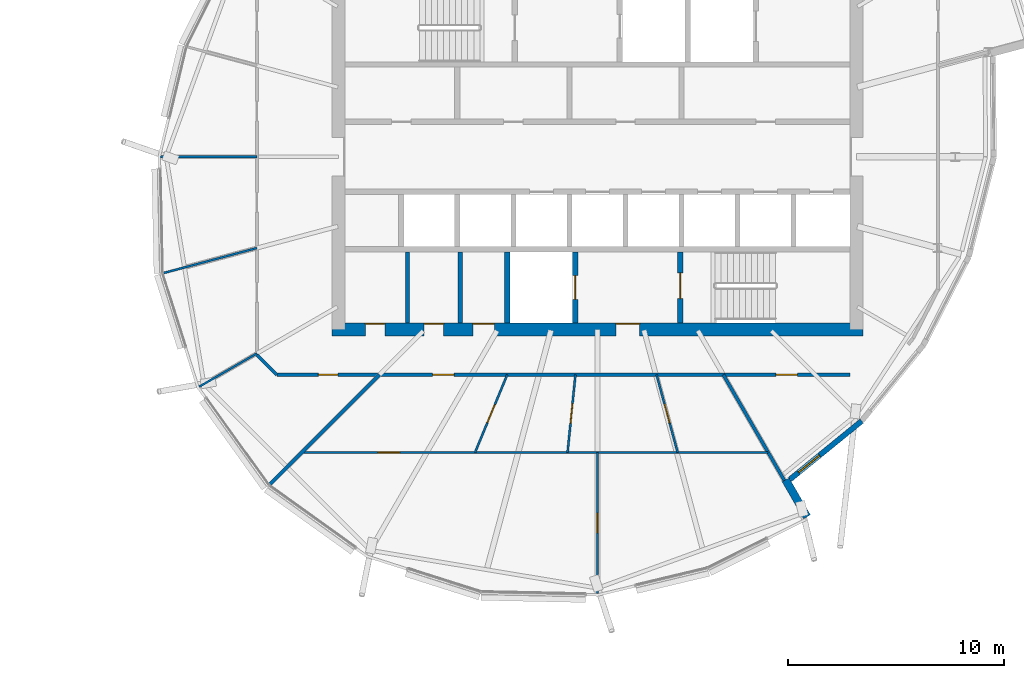
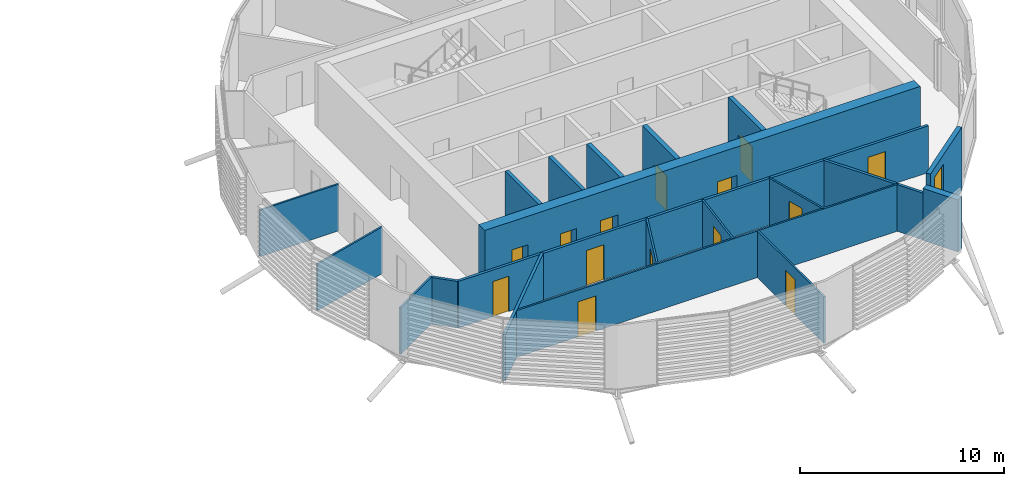
# One storey, part 21 of 35: 21 walls, 14 doors, 1 window, 15 openings.
"""IFC4 building model written with IfcOpenShell, lengths in metres."""

from ifc_helpers import new_model, si_unit, direction, frame, frame_2d, origin, place, context, subcontext, project, spatial, rectangle, extrude, material, layer, layer_set, type_object, element, fill, save


model = new_model("IFC4")

# Units and contexts
model_context = context("Model", 3, precision=1e-05, world=origin(), true_north=direction((0.0, 1.0)))
body_context = subcontext(model_context, "Body", "Model", "MODEL_VIEW")
ifc_project = project(units=[si_unit("LENGTHUNIT", "METRE"), si_unit("AREAUNIT", "SQUARE_METRE"), si_unit("VOLUMEUNIT", "CUBIC_METRE"), si_unit("PLANEANGLEUNIT", "RADIAN"), si_unit("MASSUNIT", "GRAM", prefix="KILO")], contexts=[model_context])

# Site, building, storey
site_placement = place(None, origin())
site = spatial("IfcSite", under=ifc_project, at=site_placement, CompositionType="ELEMENT")
building_placement = place(site_placement, origin())
building = spatial("IfcBuilding", under=site, at=building_placement, Name="Rimbun Link Towers", CompositionType="ELEMENT")
storey_placement = place(building_placement, frame((0.0, 0.0, 196.89990234375)))
storey = spatial("IfcBuildingStorey", under=building, at=storey_placement, Name="L48", CompositionType="ELEMENT", Elevation=196.89990234375)

# Wall, opening, window
ifc_material_1 = material(Name="Dark enamelled glass spandrel on insulated aluminium backpan", Category="aluminium")
ifc_layer_1 = layer(ifc_material_1, 0.25)
ifc_layer_set_1 = layer_set([ifc_layer_1], Name="CS dark enamelled spandrel wall 250")
wall_type_1 = type_object("IfcWallType", Name="CS dark enamelled spandrel wall 250", PredefinedType="STANDARD", material=ifc_layer_set_1)
wall_1_placement = place(storey_placement, frame((43.988037109375, -12.238037109375, 0.0), z_axis=(0.0, 0.0, 1.0), x_axis=(-0.775356930416, -0.631523262007, 0.0)))
wall_1 = element("IfcWall", 1, at=wall_1_placement, inside=storey, type_object=wall_type_1, Name="Crease spandrel wall", PredefinedType="STANDARD", context=body_context, shape_type="SweptSolid", body=[
    extrude(rectangle(XDim=4.2841796875, YDim=0.25, at=frame_2d((2.14208984375, 0.0))), origin(), (0.0, 0.0, 1.0), 3.800048828125),
])
opening_1_placement = place(wall_1_placement, frame((2.525390625, 0.0, 0.300048828125)))
opening_1 = element("IfcOpeningElement", 2, at=opening_1_placement, cuts=wall_1, Name="Opening WR12H295", PredefinedType="OPENING", context=body_context, shape_type="SweptSolid", body=[
    extrude(rectangle(XDim=1.25, YDim=2.949951171875, at=frame_2d((0.625, 1.47509765625))), frame((0.0, 0.135009765625, 0.0), z_axis=(0.0, -1.0, 0.0), x_axis=(1.0, 0.0, 0.0)), (0.0, 0.0, 1.0), 0.27001953125),
])
ifc_material_2 = material(Name="Aluminium framed fixed window, dark tinted low-e glass", Category="aluminium")
window_type = type_object("IfcWindowType", Name="WR ribbon window 1250X2950", PartitioningType="SINGLE_PANEL", PredefinedType="WINDOW", material=ifc_material_2)
window_placement = place(opening_1_placement, origin())
window = element("IfcWindow", 3, at=window_placement, inside=storey, type_object=window_type, Name="Crease ribbon window", OverallHeight=2.949951171875, OverallWidth=1.25, PartitioningType="SINGLE_PANEL", PredefinedType="WINDOW", context=body_context, shape_type="SweptSolid", body=[
    extrude(rectangle(XDim=1.25, YDim=2.949951171875, at=frame_2d((0.625, 1.47509765625))), frame((0.0, 0.030029296875, 0.0), z_axis=(0.0, -1.0, 0.0), x_axis=(1.0, 0.0, 0.0)), (0.0, 0.0, 1.0), 0.06005859375),
])
fill(opening_1, window)

# Walls
ifc_material_3 = material(Name="Dark enamelled glass spandrel on insulated aluminium backpan", Category="aluminium")
ifc_layer_2 = layer(ifc_material_3, 0.3701171875)
ifc_layer_set_2 = layer_set([ifc_layer_2], Name="CS dark enamelled spandrel wall 370")
wall_type_2 = type_object("IfcWallType", Name="CS dark enamelled spandrel wall 370", PredefinedType="STANDARD", material=ifc_layer_set_2)
wall_2_placement = place(storey_placement, frame((40.462890625, -14.961181640625, 0.0), z_axis=(0.0, 0.0, 1.0), x_axis=(0.499971491109, -0.866041862775, 0.0)))
element("IfcWall", 4, at=wall_2_placement, inside=storey, type_object=wall_type_2, Name="Crease spandrel wall", PredefinedType="STANDARD", context=body_context, shape_type="SweptSolid", body=[
    extrude(rectangle(XDim=1.97998046875, YDim=0.3701171875, at=frame_2d((0.989990234375, 0.0))), origin(), (0.0, 0.0, 1.0), 3.10693359375),
])
ifc_material_4 = material(Name="Masonry blockwork", Category="masonry")
ifc_layer_3 = layer(ifc_material_4, 0.199951171875)
ifc_layer_set_3 = layer_set([ifc_layer_3], Name="Core partition 200")
wall_type_3 = type_object("IfcWallType", Name="Core partition 200", PredefinedType="PARTITIONING", material=ifc_layer_set_3)
for number, where, z_axis, x_axis, name in (
    (5, (22.949951171875, -4.39990234375, 0.0), (0.0, 0.0, 1.0), (0.0, -1.0, 0.0), "L48 T2 core wall C1"),
    (6, (25.39990234375, -4.39990234375, 0.0), (0.0, 0.0, 1.0), (0.0, -1.0, 0.0), "L48 T2 core wall C2"),
):
    element("IfcWall", number, at=place(storey_placement, frame(where, z_axis=z_axis, x_axis=x_axis)), inside=storey, type_object=wall_type_3, Name=name, PredefinedType="PARTITIONING", context=body_context, shape_type="SweptSolid", body=[
        extrude(rectangle(XDim=3.300048828125, YDim=0.199951171875, at=frame_2d((1.64990234375, 0.0))), origin(), (0.0, 0.0, 1.0), 3.800048828125),
    ])

# Wall, openings, doors
ifc_material_5 = material(Name="Concrete C60/75", Category="concrete")
ifc_layer_4 = layer(ifc_material_5, 0.60009765625)
ifc_layer_set_4 = layer_set([ifc_layer_4], Name="Core shear wall 600")
wall_type_4 = type_object("IfcWallType", Name="Core shear wall 600", PredefinedType="SHEAR", material=ifc_layer_set_4)
wall_3_placement = place(storey_placement, frame((19.449951171875, -8.0, 0.0), z_axis=(0.0, 0.0, 1.0), x_axis=(1.0, 0.0, 0.0)))
wall_3 = element("IfcWall", 7, at=wall_3_placement, inside=storey, type_object=wall_type_4, Name="L48 T2 core wall S", PredefinedType="SHEAR", context=body_context, shape_type="SweptSolid", body=[
    extrude(rectangle(XDim=24.60009765625, YDim=0.60009765625, at=frame_2d((12.300048828125, 0.0))), origin(), (0.0, 0.0, 1.0), 3.800048828125),
])
opening_2_placement = place(wall_3_placement, frame((13.14990234375, 0.0, 0.0)))
opening_2 = element("IfcOpeningElement", 8, at=opening_2_placement, cuts=wall_3, Name="Opening C2DCF01S", PredefinedType="OPENING", context=body_context, shape_type="SweptSolid", body=[
    extrude(rectangle(XDim=1.10009765625, YDim=2.10009765625, at=frame_2d((0.550048828125, 1.050048828125))), frame((0.0, 0.31005859375, 0.0), z_axis=(0.0, -1.0, 0.0), x_axis=(1.0, 0.0, 0.0)), (0.0, 0.0, 1.0), 0.6201171875),
])
opening_3_placement = place(wall_3_placement, frame((1.550048828125, 0.0, 0.0)))
opening_3 = element("IfcOpeningElement", 9, at=opening_3_placement, cuts=wall_3, Name="Opening C2DWC02S", PredefinedType="OPENING", context=body_context, shape_type="SweptSolid", body=[
    extrude(rectangle(XDim=0.89990234375, YDim=2.10009765625, at=frame_2d((0.449951171875, 1.050048828125))), frame((0.0, 0.31005859375, 0.0), z_axis=(0.0, -1.0, 0.0), x_axis=(1.0, 0.0, 0.0)), (0.0, 0.0, 1.0), 0.6201171875),
])
opening_4_placement = place(wall_3_placement, frame((4.27490234375, 0.0, 0.0)))
opening_4 = element("IfcOpeningElement", 10, at=opening_4_placement, cuts=wall_3, Name="Opening C2DWC03S", PredefinedType="OPENING", context=body_context, shape_type="SweptSolid", body=[
    extrude(rectangle(XDim=0.89990234375, YDim=2.10009765625, at=frame_2d((0.449951171875, 1.050048828125))), frame((0.0, 0.31005859375, 0.0), z_axis=(0.0, -1.0, 0.0), x_axis=(1.0, 0.0, 0.0)), (0.0, 0.0, 1.0), 0.6201171875),
])
opening_5_placement = place(wall_3_placement, frame((6.52490234375, 0.0, 0.0)))
opening_5 = element("IfcOpeningElement", 11, at=opening_5_placement, cuts=wall_3, Name="Opening C2DAW04S", PredefinedType="OPENING", context=body_context, shape_type="SweptSolid", body=[
    extrude(rectangle(XDim=1.0, YDim=2.10009765625, at=frame_2d((0.5, 1.050048828125))), frame((0.0, 0.31005859375, 0.0), z_axis=(0.0, -1.0, 0.0), x_axis=(1.0, 0.0, 0.0)), (0.0, 0.0, 1.0), 0.6201171875),
])
ifc_material_6 = material(Name="Timber", Category="wood")
door_type_1 = type_object("IfcDoorType", Name="Accessible WC door", OperationType="SINGLE_SWING_LEFT", PredefinedType="DOOR", material=ifc_material_6)
door_1_placement = place(opening_5_placement, origin())
door_1 = element("IfcDoor", 12, at=door_1_placement, inside=storey, type_object=door_type_1, Name="L48 T2 accessible wc door", OperationType="SINGLE_SWING_RIGHT", OverallHeight=2.10009765625, OverallWidth=1.0, PredefinedType="DOOR", context=body_context, shape_type="SweptSolid", body=[
    extrude(rectangle(XDim=1.0, YDim=2.10009765625, at=frame_2d((0.5, 1.050048828125))), frame((0.0, 0.2998046875, 0.0), z_axis=(0.0, -1.0, 0.0), x_axis=(1.0, 0.0, 0.0)), (0.0, 0.0, 1.0), 0.050048828125),
])
fill(opening_5, door_1)
ifc_material_7 = material(Name="Steel fire door set", Category="steel")
door_type_2 = type_object("IfcDoorType", Name="Core fire door single", OperationType="SINGLE_SWING_LEFT", PredefinedType="DOOR", material=ifc_material_7)
door_2_placement = place(opening_2_placement, origin())
door_2 = element("IfcDoor", 13, at=door_2_placement, inside=storey, type_object=door_type_2, Name="L48 T2 firefighting lobby s door", OperationType="SINGLE_SWING_RIGHT", OverallHeight=2.10009765625, OverallWidth=1.10009765625, PredefinedType="DOOR", context=body_context, shape_type="SweptSolid", body=[
    extrude(rectangle(XDim=1.10009765625, YDim=2.10009765625, at=frame_2d((0.550048828125, 1.050048828125))), frame((0.0, 0.2998046875, 0.0), z_axis=(0.0, -1.0, 0.0), x_axis=(1.0, 0.0, 0.0)), (0.0, 0.0, 1.0), 0.050048828125),
])
fill(opening_2, door_2)
ifc_material_8 = material(Name="Timber", Category="wood")
door_type_3 = type_object("IfcDoorType", Name="WC door", OperationType="SINGLE_SWING_LEFT", PredefinedType="DOOR", material=ifc_material_8)
door_3_placement = place(opening_3_placement, origin())
door_3 = element("IfcDoor", 14, at=door_3_placement, inside=storey, type_object=door_type_3, Name="L48 T2 male wc door", OperationType="SINGLE_SWING_RIGHT", OverallHeight=2.10009765625, OverallWidth=0.89990234375, PredefinedType="DOOR", context=body_context, shape_type="SweptSolid", body=[
    extrude(rectangle(XDim=0.89990234375, YDim=2.10009765625, at=frame_2d((0.449951171875, 1.050048828125))), frame((0.0, 0.2998046875, 0.0), z_axis=(0.0, -1.0, 0.0), x_axis=(1.0, 0.0, 0.0)), (0.0, 0.0, 1.0), 0.050048828125),
])
fill(opening_3, door_3)
door_4_placement = place(opening_4_placement, origin())
door_4 = element("IfcDoor", 15, at=door_4_placement, inside=storey, type_object=door_type_3, Name="L48 T2 female wc door", OperationType="SINGLE_SWING_RIGHT", OverallHeight=2.10009765625, OverallWidth=0.89990234375, PredefinedType="DOOR", context=body_context, shape_type="SweptSolid", body=[
    extrude(rectangle(XDim=0.89990234375, YDim=2.10009765625, at=frame_2d((0.449951171875, 1.050048828125))), frame((0.0, 0.2998046875, 0.0), z_axis=(0.0, -1.0, 0.0), x_axis=(1.0, 0.0, 0.0)), (0.0, 0.0, 1.0), 0.050048828125),
])
fill(opening_4, door_4)

ifc_material_9 = material(Name="Plasterboard on steel stud, mineral wool", Category="steel")
ifc_layer_5 = layer(ifc_material_9, 0.14990234375)
ifc_layer_set_5 = layer_set([ifc_layer_5], Name="Corridor wall EI 30 150 mm")
wall_type_5 = type_object("IfcWallType", Name="Corridor wall EI 30 150 mm", PredefinedType="PARTITIONING", material=ifc_layer_set_5)
wall_4_placement = place(storey_placement, frame((43.44873046875, -10.094970703125, 0.0), z_axis=(0.0, 0.0, 1.0), x_axis=(-1.0, 0.0, 0.0)))
wall_4 = element("IfcWall", 16, at=wall_4_placement, inside=storey, type_object=wall_type_5, Name="Corridor wall EI 30 150 mm", PredefinedType="PARTITIONING", context=body_context, shape_type="SweptSolid", body=[
    extrude(rectangle(XDim=26.552490234375, YDim=0.14990234375, at=frame_2d((13.2763671875, 0.0))), origin(), (0.0, 0.0, 1.0), 2.7890625),
])
opening_6_placement = place(wall_4_placement, frame((23.72314453125, 0.0, 0.0)))
opening_6 = element("IfcOpeningElement", 17, at=opening_6_placement, cuts=wall_4, Name="Opening D02", PredefinedType="OPENING", context=body_context, shape_type="SweptSolid", body=[
    extrude(rectangle(XDim=0.89990234375, YDim=2.10009765625, at=frame_2d((0.449951171875, 1.050048828125))), frame((0.0, 0.0849609375, 0.0), z_axis=(0.0, -1.0, 0.0), x_axis=(1.0, 0.0, 0.0)), (0.0, 0.0, 1.0), 0.169921875),
])
opening_7_placement = place(wall_4_placement, frame((18.336181640625, 0.0, 0.0)))
opening_7 = element("IfcOpeningElement", 18, at=opening_7_placement, cuts=wall_4, Name="Opening D01", PredefinedType="OPENING", context=body_context, shape_type="SweptSolid", body=[
    extrude(rectangle(XDim=1.0, YDim=2.10009765625, at=frame_2d((0.5, 1.050048828125))), frame((0.0, 0.0849609375, 0.0), z_axis=(0.0, -1.0, 0.0), x_axis=(1.0, 0.0, 0.0)), (0.0, 0.0, 1.0), 0.169921875),
])
opening_8_placement = place(wall_4_placement, frame((2.435302734375, 0.0, 0.0)))
opening_8 = element("IfcOpeningElement", 19, at=opening_8_placement, cuts=wall_4, Name="Opening D01", PredefinedType="OPENING", context=body_context, shape_type="SweptSolid", body=[
    extrude(rectangle(XDim=1.0, YDim=2.10009765625, at=frame_2d((0.5, 1.050048828125))), frame((0.0, 0.0849609375, 0.0), z_axis=(0.0, -1.0, 0.0), x_axis=(1.0, 0.0, 0.0)), (0.0, 0.0, 1.0), 0.169921875),
])
ifc_material_10 = material(Name="Fire-resisting timber door leaf", Category="wood")
door_type_4 = type_object("IfcDoorType", Name="Fire door FD30S 1000", OperationType="NOTDEFINED", PredefinedType="DOOR", material=ifc_material_10)
door_5_placement = place(opening_7_placement, origin())
door_5 = element("IfcDoor", 20, at=door_5_placement, inside=storey, type_object=door_type_4, Name="Fire door FD30S 1000 to Tenant lobby", OperationType="SINGLE_SWING_RIGHT", OverallHeight=2.10009765625, OverallWidth=1.0, PredefinedType="DOOR", context=body_context, shape_type="SweptSolid", body=[
    extrude(rectangle(XDim=1.0, YDim=2.10009765625, at=frame_2d((0.5, 1.050048828125))), frame((0.0, 0.02490234375, 0.0), z_axis=(0.0, -1.0, 0.0), x_axis=(1.0, 0.0, 0.0)), (0.0, 0.0, 1.0), 0.050048828125),
])
fill(opening_7, door_5)
door_6_placement = place(opening_8_placement, origin())
door_6 = element("IfcDoor", 21, at=door_6_placement, inside=storey, type_object=door_type_4, Name="Fire door FD30S 1000 to Terrace office", OperationType="SINGLE_SWING_LEFT", OverallHeight=2.10009765625, OverallWidth=1.0, PredefinedType="DOOR", context=body_context, shape_type="SweptSolid", body=[
    extrude(rectangle(XDim=1.0, YDim=2.10009765625, at=frame_2d((0.5, 1.050048828125))), frame((0.0, 0.02490234375, 0.0), z_axis=(0.0, -1.0, 0.0), x_axis=(1.0, 0.0, 0.0)), (0.0, 0.0, 1.0), 0.050048828125),
])
fill(opening_8, door_6)
ifc_material_11 = material(Name="Fire-resisting timber door leaf", Category="wood")
door_type_5 = type_object("IfcDoorType", Name="Fire door FD30S 900", OperationType="NOTDEFINED", PredefinedType="DOOR", material=ifc_material_11)
door_7_placement = place(opening_6_placement, origin())
door_7 = element("IfcDoor", 22, at=door_7_placement, inside=storey, type_object=door_type_5, Name="Fire door FD30S 900 to Trading floor", OperationType="SINGLE_SWING_LEFT", OverallHeight=2.10009765625, OverallWidth=0.89990234375, PredefinedType="DOOR", context=body_context, shape_type="SweptSolid", body=[
    extrude(rectangle(XDim=0.89990234375, YDim=2.10009765625, at=frame_2d((0.449951171875, 1.050048828125))), frame((0.0, 0.02490234375, 0.0), z_axis=(0.0, -1.0, 0.0), x_axis=(1.0, 0.0, 0.0)), (0.0, 0.0, 1.0), 0.050048828125),
])
fill(opening_6, door_7)

# Walls
wall_5_placement = place(storey_placement, frame((15.97509765625, -9.173583984375, 0.0), z_axis=(0.0, 0.0, 1.0), x_axis=(0.707013081223, -0.707200468735, 0.0)))
element("IfcWall", 23, at=wall_5_placement, inside=storey, type_object=wall_type_5, Name="Corridor wall EI 30 150 mm", PredefinedType="PARTITIONING", context=body_context, shape_type="SweptSolid", body=[
    extrude(rectangle(XDim=1.302978515625, YDim=0.14990234375, at=frame_2d((0.6513671875, 0.0))), origin(), (0.0, 0.0, 1.0), 2.7890625),
])
ifc_material_12 = material(Name="Plasterboard on steel stud", Category="steel")
ifc_layer_6 = layer(ifc_material_12, 0.10009765625)
ifc_layer_set_6 = layer_set([ifc_layer_6], Name="Plasterboard partition 100 mm")
wall_type_6 = type_object("IfcWallType", Name="Plasterboard partition 100 mm", PredefinedType="PARTITIONING", material=ifc_layer_set_6)
wall_6_placement = place(storey_placement, frame((11.514892578125, 0.0, 0.0), z_axis=(0.0, 0.0, 1.0), x_axis=(1.0, 0.0, 0.0)))
element("IfcWall", 24, at=wall_6_placement, inside=storey, type_object=wall_type_6, Name="Plasterboard partition 100 mm", PredefinedType="PARTITIONING", context=body_context, shape_type="SweptSolid", body=[
    extrude(rectangle(XDim=4.460205078125, YDim=0.10009765625, at=frame_2d((2.22998046875, 0.0))), origin(), (0.0, 0.0, 1.0), 2.7890625),
])
wall_7_placement = place(storey_placement, frame((11.62841796875, -5.3916015625, 0.0), z_axis=(0.0, 0.0, 1.0), x_axis=(0.965919958881, 0.258840941576, 0.0)))
element("IfcWall", 25, at=wall_7_placement, inside=storey, type_object=wall_type_6, Name="Plasterboard partition 100 mm", PredefinedType="PARTITIONING", context=body_context, shape_type="SweptSolid", body=[
    extrude(rectangle(XDim=4.5, YDim=0.10009765625, at=frame_2d((2.25, 0.0))), origin(), (0.0, 0.0, 1.0), 2.7890625),
])
wall_8_placement = place(storey_placement, frame((13.30126953125, -10.6513671875, 0.0), z_axis=(0.0, 0.0, 1.0), x_axis=(0.866030202489, 0.499991688307, 0.0)))
element("IfcWall", 26, at=wall_8_placement, inside=storey, type_object=wall_type_6, Name="Plasterboard partition 100 mm", PredefinedType="PARTITIONING", context=body_context, shape_type="SweptSolid", body=[
    extrude(rectangle(XDim=3.08740234375, YDim=0.10009765625, at=frame_2d((1.543701171875, 0.0))), origin(), (0.0, 0.0, 1.0), 2.7890625),
])

# Wall, opening, door
wall_9_placement = place(storey_placement, frame((27.570068359375, -10.094970703125, 0.0), z_axis=(0.0, 0.0, 1.0), x_axis=(-0.382576833691, -0.923923679923, 0.0)))
wall_9 = element("IfcWall", 27, at=wall_9_placement, inside=storey, type_object=wall_type_6, Name="Plasterboard partition 100 mm", PredefinedType="PARTITIONING", context=body_context, shape_type="SweptSolid", body=[
    extrude(rectangle(XDim=3.896484375, YDim=0.10009765625, at=frame_2d((1.9482421875, 0.0))), origin(), (0.0, 0.0, 1.0), 2.7890625),
])
opening_9_placement = place(wall_9_placement, frame((1.498291015625, 0.0, 0.0)))
opening_9 = element("IfcOpeningElement", 28, at=opening_9_placement, cuts=wall_9, Name="Opening D04", PredefinedType="OPENING", context=body_context, shape_type="SweptSolid", body=[
    extrude(rectangle(XDim=0.89990234375, YDim=2.10009765625, at=frame_2d((0.449951171875, 1.050048828125))), frame((0.0, 0.06005859375, 0.0), z_axis=(0.0, -1.0, 0.0), x_axis=(1.0, 0.0, 0.0)), (0.0, 0.0, 1.0), 0.1201171875),
])
ifc_material_13 = material(Name="Timber door leaf", Category="wood")
door_type_6 = type_object("IfcDoorType", Name="Flush door 900", OperationType="NOTDEFINED", PredefinedType="DOOR", material=ifc_material_13)
door_8_placement = place(opening_9_placement, origin())
door_8 = element("IfcDoor", 29, at=door_8_placement, inside=storey, type_object=door_type_6, Name="Flush door 900 to Huddle room", OperationType="SINGLE_SWING_LEFT", OverallHeight=2.10009765625, OverallWidth=0.89990234375, PredefinedType="DOOR", context=body_context, shape_type="SweptSolid", body=[
    extrude(rectangle(XDim=0.89990234375, YDim=2.10009765625, at=frame_2d((0.449951171875, 1.050048828125))), frame((0.0, 0.02490234375, 0.0), z_axis=(0.0, -1.0, 0.0), x_axis=(1.0, 0.0, 0.0)), (0.0, 0.0, 1.0), 0.050048828125),
])
fill(opening_9, door_8)

wall_10_placement = place(storey_placement, frame((31.75, -13.695068359375, 0.0), z_axis=(0.0, 0.0, 1.0), x_axis=(-1.0, 0.0, 0.0)))
wall_10 = element("IfcWall", 30, at=wall_10_placement, inside=storey, type_object=wall_type_6, Name="Plasterboard partition 100 mm", PredefinedType="PARTITIONING", context=body_context, shape_type="SweptSolid", body=[
    extrude(rectangle(XDim=13.695068359375, YDim=0.10009765625, at=frame_2d((6.84765625, 0.0))), origin(), (0.0, 0.0, 1.0), 2.7890625),
])
opening_10_placement = place(wall_10_placement, frame((9.16650390625, 0.0, 0.0)))
opening_10 = element("IfcOpeningElement", 31, at=opening_10_placement, cuts=wall_10, Name="Opening D03", PredefinedType="OPENING", context=body_context, shape_type="SweptSolid", body=[
    extrude(rectangle(XDim=1.0, YDim=2.10009765625, at=frame_2d((0.5, 1.050048828125))), frame((0.0, 0.06005859375, 0.0), z_axis=(0.0, -1.0, 0.0), x_axis=(1.0, 0.0, 0.0)), (0.0, 0.0, 1.0), 0.1201171875),
])
ifc_material_14 = material(Name="Timber door leaf", Category="wood")
door_type_7 = type_object("IfcDoorType", Name="Flush door 1000", OperationType="NOTDEFINED", PredefinedType="DOOR", material=ifc_material_14)
door_9_placement = place(opening_10_placement, origin())
door_9 = element("IfcDoor", 32, at=door_9_placement, inside=storey, type_object=door_type_7, Name="Flush door 1000 to Open office", OperationType="SINGLE_SWING_RIGHT", OverallHeight=2.10009765625, OverallWidth=1.0, PredefinedType="DOOR", context=body_context, shape_type="SweptSolid", body=[
    extrude(rectangle(XDim=1.0, YDim=2.10009765625, at=frame_2d((0.5, 1.050048828125))), frame((0.0, 0.02490234375, 0.0), z_axis=(0.0, -1.0, 0.0), x_axis=(1.0, 0.0, 0.0)), (0.0, 0.0, 1.0), 0.050048828125),
])
fill(opening_10, door_9)

wall_11_placement = place(storey_placement, frame((30.728759765625, -10.094970703125, 0.0), z_axis=(0.0, 0.0, 1.0), x_axis=(-0.100666014528, -0.994920274956, 0.0)))
wall_11 = element("IfcWall", 33, at=wall_11_placement, inside=storey, type_object=wall_type_6, Name="Plasterboard partition 100 mm", PredefinedType="PARTITIONING", context=body_context, shape_type="SweptSolid", body=[
    extrude(rectangle(XDim=3.618408203125, YDim=0.10009765625, at=frame_2d((1.80908203125, 0.0))), origin(), (0.0, 0.0, 1.0), 2.7890625),
])
opening_11_placement = place(wall_11_placement, frame((1.359130859375, 0.0, 0.0)))
opening_11 = element("IfcOpeningElement", 34, at=opening_11_placement, cuts=wall_11, Name="Opening D04", PredefinedType="OPENING", context=body_context, shape_type="SweptSolid", body=[
    extrude(rectangle(XDim=0.89990234375, YDim=2.10009765625, at=frame_2d((0.449951171875, 1.050048828125))), frame((0.0, 0.06005859375, 0.0), z_axis=(0.0, -1.0, 0.0), x_axis=(1.0, 0.0, 0.0)), (0.0, 0.0, 1.0), 0.1201171875),
])
door_10_placement = place(opening_11_placement, origin())
door_10 = element("IfcDoor", 35, at=door_10_placement, inside=storey, type_object=door_type_6, Name="Flush door 900 to Huddle room", OperationType="SINGLE_SWING_RIGHT", OverallHeight=2.10009765625, OverallWidth=0.89990234375, PredefinedType="DOOR", context=body_context, shape_type="SweptSolid", body=[
    extrude(rectangle(XDim=0.89990234375, YDim=2.10009765625, at=frame_2d((0.449951171875, 1.050048828125))), frame((0.0, 0.02490234375, 0.0), z_axis=(0.0, -1.0, 0.0), x_axis=(1.0, 0.0, 0.0)), (0.0, 0.0, 1.0), 0.050048828125),
])
fill(opening_11, door_10)

wall_12_placement = place(storey_placement, frame((34.486572265625, -10.094970703125, 0.0), z_axis=(0.0, 0.0, 1.0), x_axis=(0.261616196564, -0.965171987625, 0.0)))
wall_12 = element("IfcWall", 36, at=wall_12_placement, inside=storey, type_object=wall_type_6, Name="Plasterboard partition 100 mm", PredefinedType="PARTITIONING", context=body_context, shape_type="SweptSolid", body=[
    extrude(rectangle(XDim=3.72998046875, YDim=0.10009765625, at=frame_2d((1.864990234375, 0.0))), origin(), (0.0, 0.0, 1.0), 2.7890625),
])
opening_12_placement = place(wall_12_placement, frame((1.4150390625, 0.0, 0.0)))
opening_12 = element("IfcOpeningElement", 37, at=opening_12_placement, cuts=wall_12, Name="Opening D04", PredefinedType="OPENING", context=body_context, shape_type="SweptSolid", body=[
    extrude(rectangle(XDim=0.89990234375, YDim=2.10009765625, at=frame_2d((0.449951171875, 1.050048828125))), frame((0.0, 0.06005859375, 0.0), z_axis=(0.0, -1.0, 0.0), x_axis=(1.0, 0.0, 0.0)), (0.0, 0.0, 1.0), 0.1201171875),
])
door_11_placement = place(opening_12_placement, origin())
door_11 = element("IfcDoor", 38, at=door_11_placement, inside=storey, type_object=door_type_6, Name="Flush door 900 to Pantry", OperationType="SINGLE_SWING_LEFT", OverallHeight=2.10009765625, OverallWidth=0.89990234375, PredefinedType="DOOR", context=body_context, shape_type="SweptSolid", body=[
    extrude(rectangle(XDim=0.89990234375, YDim=2.10009765625, at=frame_2d((0.449951171875, 1.050048828125))), frame((0.0, 0.02490234375, 0.0), z_axis=(0.0, -1.0, 0.0), x_axis=(1.0, 0.0, 0.0)), (0.0, 0.0, 1.0), 0.050048828125),
])
fill(opening_12, door_11)

# Wall
wall_13_placement = place(storey_placement, frame((31.75, -13.695068359375, 0.0), z_axis=(0.0, 0.0, 1.0), x_axis=(1.0, 0.0, 0.0)))
element("IfcWall", 39, at=wall_13_placement, inside=storey, type_object=wall_type_6, Name="Plasterboard partition 100 mm", PredefinedType="PARTITIONING", context=body_context, shape_type="SweptSolid", body=[
    extrude(rectangle(XDim=7.906982421875, YDim=0.10009765625, at=frame_2d((3.95361328125, 0.0))), origin(), (0.0, 0.0, 1.0), 2.7890625),
])

# Wall, opening, door
wall_14_placement = place(storey_placement, frame((31.75, -13.695068359375, 0.0), z_axis=(0.0, 0.0, 1.0), x_axis=(0.0, -1.0, 0.0)))
wall_14 = element("IfcWall", 40, at=wall_14_placement, inside=storey, type_object=wall_type_6, Name="Plasterboard partition 100 mm", PredefinedType="PARTITIONING", context=body_context, shape_type="SweptSolid", body=[
    extrude(rectangle(XDim=6.5400390625, YDim=0.10009765625, at=frame_2d((3.27001953125, 0.0))), origin(), (0.0, 0.0, 1.0), 2.7890625),
])
opening_13_placement = place(wall_14_placement, frame((2.820068359375, 0.0, 0.0)))
opening_13 = element("IfcOpeningElement", 41, at=opening_13_placement, cuts=wall_14, Name="Opening D04", PredefinedType="OPENING", context=body_context, shape_type="SweptSolid", body=[
    extrude(rectangle(XDim=0.89990234375, YDim=2.10009765625, at=frame_2d((0.449951171875, 1.050048828125))), frame((0.0, 0.06005859375, 0.0), z_axis=(0.0, -1.0, 0.0), x_axis=(1.0, 0.0, 0.0)), (0.0, 0.0, 1.0), 0.1201171875),
])
door_12_placement = place(opening_13_placement, origin())
door_12 = element("IfcDoor", 42, at=door_12_placement, inside=storey, type_object=door_type_6, Name="Flush door 900 to Project room", OperationType="SINGLE_SWING_LEFT", OverallHeight=2.10009765625, OverallWidth=0.89990234375, PredefinedType="DOOR", context=body_context, shape_type="SweptSolid", body=[
    extrude(rectangle(XDim=0.89990234375, YDim=2.10009765625, at=frame_2d((0.449951171875, 1.050048828125))), frame((0.0, 0.02490234375, 0.0), z_axis=(0.0, -1.0, 0.0), x_axis=(1.0, 0.0, 0.0)), (0.0, 0.0, 1.0), 0.050048828125),
])
fill(opening_13, door_12)

ifc_material_15 = material(Name="Concrete C60/75", Category="concrete")
ifc_layer_7 = layer(ifc_material_15, 0.25)
ifc_layer_set_7 = layer_set([ifc_layer_7], Name="Shaft wall 250")
wall_type_7 = type_object("IfcWallType", Name="Shaft wall 250", PredefinedType="SHEAR", material=ifc_layer_set_7)
wall_15_placement = place(storey_placement, frame((35.574951171875, -4.39990234375, 0.0), z_axis=(0.0, 0.0, 1.0), x_axis=(0.0, -1.0, 0.0)))
wall_15 = element("IfcWall", 43, at=wall_15_placement, inside=storey, type_object=wall_type_7, Name="L48 T2 core wall B1", PredefinedType="SHEAR", context=body_context, shape_type="SweptSolid", body=[
    extrude(rectangle(XDim=3.300048828125, YDim=0.25, at=frame_2d((1.64990234375, 0.0))), origin(), (0.0, 0.0, 1.0), 3.800048828125),
])
opening_14_placement = place(wall_15_placement, frame((0.97509765625, 0.0, 0.0)))
opening_14 = element("IfcOpeningElement", 44, at=opening_14_placement, cuts=wall_15, Name="Opening C2DST01B1", PredefinedType="OPENING", context=body_context, shape_type="SweptSolid", body=[
    extrude(rectangle(XDim=1.199951171875, YDim=2.10009765625, at=frame_2d((0.60009765625, 1.050048828125))), frame((0.0, 0.135009765625, 0.0), z_axis=(0.0, -1.0, 0.0), x_axis=(1.0, 0.0, 0.0)), (0.0, 0.0, 1.0), 0.27001953125),
])
ifc_material_16 = material(Name="Steel fire door set", Category="steel")
door_type_8 = type_object("IfcDoorType", Name="Stair door", OperationType="SINGLE_SWING_LEFT", PredefinedType="DOOR", material=ifc_material_16)
door_13_placement = place(opening_14_placement, origin())
door_13 = element("IfcDoor", 45, at=door_13_placement, inside=storey, type_object=door_type_8, Name="L48 T2 stair b door", OperationType="SINGLE_SWING_LEFT", OverallHeight=2.10009765625, OverallWidth=1.199951171875, PredefinedType="DOOR", context=body_context, shape_type="SweptSolid", body=[
    extrude(rectangle(XDim=1.199951171875, YDim=2.10009765625, at=frame_2d((0.60009765625, 1.050048828125))), frame((0.0, 0.02490234375, 0.0), z_axis=(0.0, -1.0, 0.0), x_axis=(1.0, 0.0, 0.0)), (0.0, 0.0, 1.0), 0.050048828125),
])
fill(opening_14, door_13)

wall_16_placement = place(storey_placement, frame((30.72509765625, -4.39990234375, 0.0), z_axis=(0.0, 0.0, 1.0), x_axis=(0.0, -1.0, 0.0)))
wall_16 = element("IfcWall", 46, at=wall_16_placement, inside=storey, type_object=wall_type_7, Name="L48 T2 core wall B2", PredefinedType="SHEAR", context=body_context, shape_type="SweptSolid", body=[
    extrude(rectangle(XDim=3.300048828125, YDim=0.25, at=frame_2d((1.64990234375, 0.0))), origin(), (0.0, 0.0, 1.0), 3.800048828125),
])
opening_15_placement = place(wall_16_placement, frame((1.10009765625, 0.0, 0.0)))
opening_15 = element("IfcOpeningElement", 47, at=opening_15_placement, cuts=wall_16, Name="Opening LD-T2-FF2", PredefinedType="OPENING", context=body_context, shape_type="SweptSolid", body=[
    extrude(rectangle(XDim=1.10009765625, YDim=2.10009765625, at=frame_2d((0.550048828125, 1.050048828125))), frame((0.0, 0.135009765625, 0.0), z_axis=(0.0, -1.0, 0.0), x_axis=(1.0, 0.0, 0.0)), (0.0, 0.0, 1.0), 0.27001953125),
])
ifc_material_17 = material(Name="Stainless steel grade 316", Category="steel")
door_type_9 = type_object("IfcDoorType", Name="Lift landing door", OperationType="DOUBLE_DOOR_SLIDING", PredefinedType="DOOR", material=ifc_material_17)
door_14_placement = place(opening_15_placement, origin())
door_14 = element("IfcDoor", 48, at=door_14_placement, inside=storey, type_object=door_type_9, Name="L48 T2 lift FF2 landing door", OperationType="DOUBLE_DOOR_SLIDING", OverallHeight=2.10009765625, OverallWidth=1.10009765625, PredefinedType="DOOR", context=body_context, shape_type="SweptSolid", body=[
    extrude(rectangle(XDim=1.10009765625, YDim=2.10009765625, at=frame_2d((0.550048828125, 1.050048828125))), frame((0.0, 0.02490234375, 0.0), z_axis=(0.0, -1.0, 0.0), x_axis=(1.0, 0.0, 0.0)), (0.0, 0.0, 1.0), 0.050048828125),
])
fill(opening_15, door_14)

# Walls
wall_17_placement = place(storey_placement, frame((27.574951171875, -4.39990234375, 0.0), z_axis=(0.0, 0.0, 1.0), x_axis=(0.0, -1.0, 0.0)))
element("IfcWall", 49, at=wall_17_placement, inside=storey, type_object=wall_type_7, Name="L48 T2 core wall B3", PredefinedType="SHEAR", context=body_context, shape_type="SweptSolid", body=[
    extrude(rectangle(XDim=3.300048828125, YDim=0.25, at=frame_2d((1.64990234375, 0.0))), origin(), (0.0, 0.0, 1.0), 3.800048828125),
])
ifc_material_18 = material(Name="Plasterboard on steel stud, mineral wool", Category="steel")
ifc_layer_8 = layer(ifc_material_18, 0.14990234375)
ifc_layer_set_8 = layer_set([ifc_layer_8], Name="Tenancy separation wall EI 60 150 mm")
wall_type_8 = type_object("IfcWallType", Name="Tenancy separation wall EI 60 150 mm", PredefinedType="PARTITIONING", material=ifc_layer_set_8)
wall_18_placement = place(storey_placement, frame((21.655029296875, -10.094970703125, 0.0), z_axis=(0.0, 0.0, 1.0), x_axis=(-0.707106781187, -0.707106781187, 0.0)))
element("IfcWall", 50, at=wall_18_placement, inside=storey, type_object=wall_type_8, Name="Tenancy separation wall EI 60 150 mm", PredefinedType="PARTITIONING", context=body_context, shape_type="SweptSolid", body=[
    extrude(rectangle(XDim=7.20703125, YDim=0.14990234375, at=frame_2d((3.603515625, 0.0))), origin(), (0.0, 0.0, 1.0), 2.7890625),
])
wall_19_placement = place(storey_placement, frame((37.578369140625, -10.094970703125, 0.0), z_axis=(0.0, 0.0, 1.0), x_axis=(0.499996423147, -0.866027468871, 0.0)))
element("IfcWall", 51, at=wall_19_placement, inside=storey, type_object=wall_type_8, Name="Tenancy separation wall EI 60 150 mm", PredefinedType="PARTITIONING", context=body_context, shape_type="SweptSolid", body=[
    extrude(rectangle(XDim=5.65673828125, YDim=0.14990234375, at=frame_2d((2.828369140625, 0.0))), origin(), (0.0, 0.0, 1.0), 2.7890625),
])

save(model, "model.ifc")
